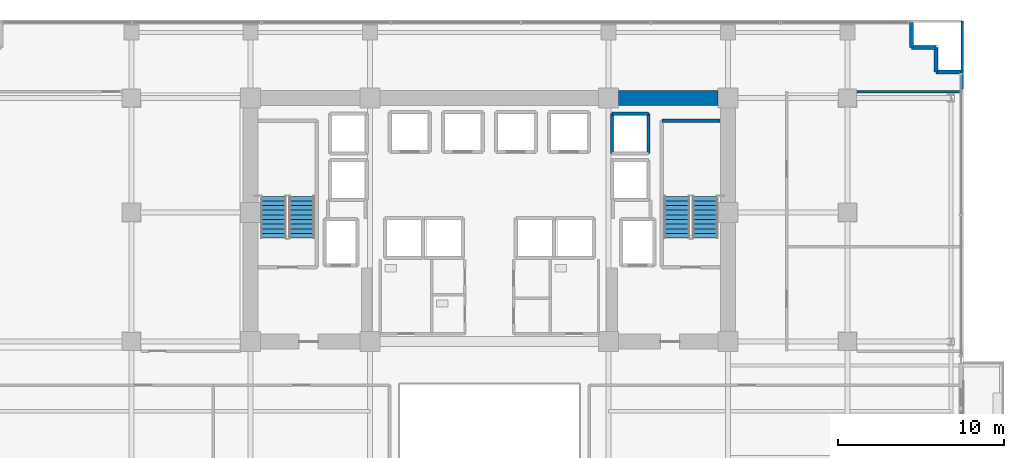
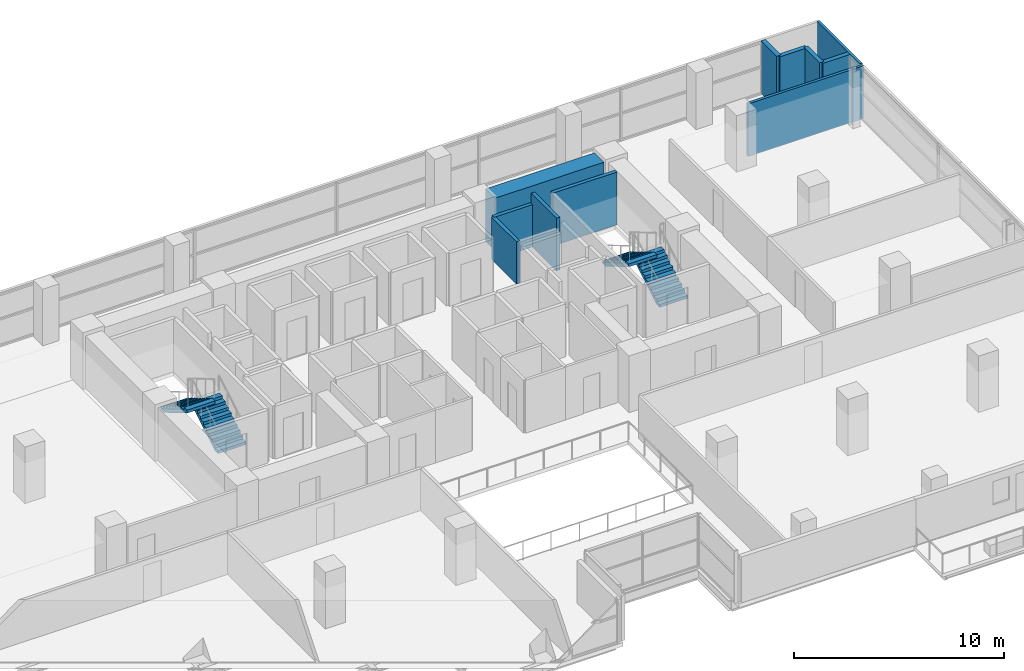
# One storey, part 25 of 30: 11 walls, 4 stair flights, 2 elements without a shape of their own.
"""IFC4 building model written with IfcOpenShell, lengths in metres."""

from ifc_helpers import new_model, si_unit, direction, frame, frame_2d, origin, place, context, subcontext, project, spatial, polyline, rectangle, outline, extrude, material, layer, layer_set, type_object, element, aggregate, save


model = new_model("IFC4")

# Units and contexts
model_context = context("Model", 3, precision=1e-05, world=origin(), true_north=direction((0.0, 1.0)))
body_context = subcontext(model_context, "Body", "Model", "MODEL_VIEW")
ifc_project = project(units=[si_unit("LENGTHUNIT", "METRE"), si_unit("AREAUNIT", "SQUARE_METRE"), si_unit("VOLUMEUNIT", "CUBIC_METRE"), si_unit("PLANEANGLEUNIT", "RADIAN"), si_unit("MASSUNIT", "GRAM", prefix="KILO")], contexts=[model_context])

# Site, building, storey
site_placement = place(None, origin())
site = spatial("IfcSite", under=ifc_project, at=site_placement, CompositionType="ELEMENT")
building_placement = place(site_placement, origin())
building = spatial("IfcBuilding", under=site, at=building_placement, Name="Zarnakvel Exchange Tower", CompositionType="ELEMENT")
storey_placement = place(building_placement, frame((0.0, 0.0, 30.699951171875)))
storey = spatial("IfcBuildingStorey", under=building, at=storey_placement, Name="L07", CompositionType="ELEMENT", Elevation=30.699951171875)

# Walls
ifc_material_1 = material(Name="Concrete C80/95", Category="concrete")
ifc_layer_1 = layer(ifc_material_1, 0.89990234375)
ifc_layer_set_1 = layer_set([ifc_layer_1], Name="Concrete C80/95")
wall_type_1 = type_object("IfcWallType", Name="CW-C1", PredefinedType="SHEAR", material=ifc_layer_set_1)
wall_1_placement = place(storey_placement, frame((7.800048828125, 13.5, 0.0), z_axis=(0.0, 0.0, 1.0), x_axis=(1.0, 0.0, 0.0)))
element("IfcWall", 1, at=wall_1_placement, inside=storey, type_object=wall_type_1, Name="L07 Rear Core Shear Wall N3 (CW-C1)", PredefinedType="SHEAR", context=body_context, shape_type="SweptSolid", body=[
    extrude(rectangle(XDim=6.0, YDim=0.89990234375, at=frame_2d((3.0, 0.0))), origin(), (0.0, 0.0, 1.0), 3.074951171875),
])
ifc_material_2 = material(Name="Precast concrete C40/50", Category="concrete")
ifc_layer_2 = layer(ifc_material_2, 0.239990234375)
ifc_layer_set_2 = layer_set([ifc_layer_2], Name="Precast concrete C40/50")
wall_type_2 = type_object("IfcWallType", Name="EW-02", PredefinedType="SOLIDWALL", material=ifc_layer_set_2)
for number, where, z_axis, x_axis, name in (
    (2, (25.4599609375, 16.56005859375, 0.0), (0.0, 0.0, 1.0), (0.0, 1.0, 0.0), "L07 Exterior Precast Spandrel Wall EWC-L07-05 (EW-02)"),
    (3, (26.9599609375, 16.56005859375, 0.0), (0.0, 0.0, 1.0), (-1.0, 0.0, 0.0), "L07 Exterior Precast Spandrel Wall EWC-L07-06 (EW-02)"),
    (4, (26.9599609375, 15.06005859375, 0.0), (0.0, 0.0, 1.0), (0.0, 1.0, 0.0), "L07 Exterior Precast Spandrel Wall EWC-L07-07 (EW-02)"),
    (5, (28.4599609375, 15.06005859375, 0.0), (0.0, 0.0, 1.0), (-1.0, 0.0, 0.0), "L07 Exterior Precast Spandrel Wall EWC-L07-08 (EW-02)"),
):
    element("IfcWall", number, at=place(storey_placement, frame(where, z_axis=z_axis, x_axis=x_axis)), inside=storey, type_object=wall_type_2, Name=name, PredefinedType="SOLIDWALL", context=body_context, shape_type="SweptSolid", body=[
        extrude(rectangle(XDim=1.5, YDim=0.239990234375, at=frame_2d((0.75, 0.0))), origin(), (0.0, 0.0, 1.0), 3.074951171875),
    ])
ifc_material_3 = material(Name="Fire-Rated Gypsum Stud Partition", Category="gypsum")
ifc_layer_3 = layer(ifc_material_3, 0.14990234375)
ifc_layer_set_3 = layer_set([ifc_layer_3], Name="Fire-Rated Gypsum Stud Partition")
wall_type_3 = type_object("IfcWallType", Name="PT-01", PredefinedType="PARTITIONING", material=ifc_layer_set_3)
wall_2_placement = place(storey_placement, frame((22.169921875, 13.8798828125, 0.0), z_axis=(0.0, 0.0, 1.0), x_axis=(1.0, 0.0, 0.0)))
element("IfcWall", 6, at=wall_2_placement, inside=storey, type_object=wall_type_3, Name="L07 Partition Wall PWALL-L07-044 (PT-01)", PredefinedType="PARTITIONING", context=body_context, shape_type="SweptSolid", body=[
    extrude(rectangle(XDim=6.360107421875, YDim=0.14990234375, at=frame_2d((3.18017578125, 0.0))), origin(), (0.0, 0.0, 1.0), 3.074951171875),
])
wall_3_placement = place(storey_placement, frame((28.530029296875, 18.1298828125, 0.0), z_axis=(0.0, 0.0, 1.0), x_axis=(0.0, -1.0, 0.0)))
element("IfcWall", 7, at=wall_3_placement, inside=storey, type_object=wall_type_3, Name="L07 Partition Wall PWALL-L07-049 (PT-01)", PredefinedType="PARTITIONING", context=body_context, shape_type="SweptSolid", body=[
    extrude(rectangle(XDim=4.099853515625, YDim=0.14990234375, at=frame_2d((2.0498046875, 0.0))), origin(), (0.0, 0.0, 1.0), 3.074951171875),
])
ifc_material_4 = material(Name="Concrete C40/50", Category="concrete")
ifc_layer_4 = layer(ifc_material_4, 0.199951171875)
ifc_layer_set_4 = layer_set([ifc_layer_4], Name="Concrete C40/50")
wall_type_4 = type_object("IfcWallType", Name="SW-01", PredefinedType="SOLIDWALL", material=ifc_layer_set_4)
wall_4_placement = place(storey_placement, frame((7.39990234375, 12.550048828125, 0.0), z_axis=(0.0, 0.0, 1.0), x_axis=(1.0, 0.0, 0.0)))
element("IfcWall", 8, at=wall_4_placement, inside=storey, type_object=wall_type_4, Name="L07 PL-12 Hoistway Wall North", PredefinedType="SOLIDWALL", context=body_context, shape_type="SweptSolid", body=[
    extrude(rectangle(XDim=2.2001953125, YDim=0.199951171875, at=frame_2d((1.10009765625, 0.0))), origin(), (0.0, 0.0, 1.0), 2.465087890625),
])
wall_5_placement = place(storey_placement, frame((7.39990234375, 10.14990234375, 0.0), z_axis=(0.0, 0.0, 1.0), x_axis=(0.0, 1.0, 0.0)))
element("IfcWall", 9, at=wall_5_placement, inside=storey, type_object=wall_type_4, Name="L07 PL-12 Hoistway Wall West", PredefinedType="SOLIDWALL", context=body_context, shape_type="SweptSolid", body=[
    extrude(rectangle(XDim=2.400146484375, YDim=0.199951171875, at=frame_2d((1.2001953125, 0.0))), origin(), (0.0, 0.0, 1.0), 2.465087890625),
])
wall_6_placement = place(storey_placement, frame((9.60009765625, 12.550048828125, 0.0), z_axis=(0.0, 0.0, 1.0), x_axis=(0.0, -1.0, 0.0)))
element("IfcWall", 10, at=wall_6_placement, inside=storey, type_object=wall_type_4, Name="L07 PL-12 Hoistway Wall East", PredefinedType="SOLIDWALL", context=body_context, shape_type="SweptSolid", body=[
    extrude(rectangle(XDim=2.400146484375, YDim=0.199951171875, at=frame_2d((1.2001953125, 0.0))), origin(), (0.0, 0.0, 1.0), 3.074951171875),
])
ifc_layer_5 = layer(ifc_material_4, 0.199951171875)
ifc_layer_set_5 = layer_set([ifc_layer_5], Name="Concrete C40/50")
wall_type_5 = type_object("IfcWallType", Name="SW-02", PredefinedType="SOLIDWALL", material=ifc_layer_set_5)
wall_7_placement = place(storey_placement, frame((10.409912109375, 12.1298828125, 0.0), z_axis=(0.0, 0.0, 1.0), x_axis=(1.0, 0.0, 0.0)))
element("IfcWall", 11, at=wall_7_placement, inside=storey, type_object=wall_type_5, Name="L07 Stairwell Core Wall PWALL-L07-005 (SW-02)", PredefinedType="SOLIDWALL", context=body_context, shape_type="SweptSolid", body=[
    extrude(rectangle(XDim=3.52001953125, YDim=0.199951171875, at=frame_2d((1.760009765625, 0.0))), origin(), (0.0, 0.0, 1.0), 3.074951171875),
])

# Stair, stair flights
stair_type = type_object("IfcStairType", Name="STR-01", PredefinedType="HALF_TURN_STAIR", material=ifc_material_4)
stair_1_placement = place(storey_placement, origin())
stair_1 = element("IfcStair", 12, at=stair_1_placement, inside=storey, type_object=stair_type, Name="L07 Protected Core Exit Stair ST-01", PredefinedType="HALF_TURN_STAIR")
stair_flight_type = type_object("IfcStairFlightType", Name="FLT-01", PredefinedType="STRAIGHT", material=ifc_material_4)
stair_flight_1_placement = place(storey_placement, frame((-11.31494140625, 5.050048828125, 0.0), z_axis=(0.0, 0.0, 1.0), x_axis=(0.0, 1.0, 0.0)))
stair_flight_1 = element("IfcStairFlight", 13, at=stair_flight_1_placement, type_object=stair_flight_type, Name="ST-01 flight 1", NumberOfRisers=10, NumberOfTreads=9, PredefinedType="STRAIGHT", RiserHeight=0.165, TreadLength=0.28, context=body_context, shape_type="SweptSolid", body=[
    extrude(outline(polyline([(0.0, 0.0), (0.0, 0.1650390625), (0.280029296875, 0.1650390625), (0.280029296875, 0.330078125), (0.56005859375, 0.330078125), (0.56005859375, 0.4951171875), (0.840087890625, 0.4951171875), (0.840087890625, 0.659912109375), (1.1201171875, 0.659912109375), (1.1201171875, 0.824951171875), (1.39990234375, 0.824951171875), (1.39990234375, 0.989990234375), (1.679931640625, 0.989990234375), (1.679931640625, 1.155029296875), (1.9599609375, 1.155029296875), (1.9599609375, 1.320068359375), (2.239990234375, 1.320068359375), (2.239990234375, 1.485107421875), (2.52001953125, 1.485107421875), (2.52001953125, 1.64990234375), (2.52001953125, 1.31103515625), (0.295166015625, 0.0), (0.0, 0.0)])), frame((0.0, 0.77490234375, 0.0), z_axis=(0.0, -1.0, 0.0), x_axis=(1.0, 0.0, 0.0)), (0.0, 0.0, 1.0), 1.550048828125),
])
stair_flight_2_placement = place(storey_placement, frame((-13.02490234375, 7.570068359375, 1.650146484375), z_axis=(0.0, 0.0, 1.0), x_axis=(0.0, -1.0, 0.0)))
stair_flight_2 = element("IfcStairFlight", 14, at=stair_flight_2_placement, type_object=stair_flight_type, Name="ST-01 flight 2", NumberOfRisers=10, NumberOfTreads=9, PredefinedType="STRAIGHT", RiserHeight=0.165, TreadLength=0.28, context=body_context, shape_type="SweptSolid", body=[
    extrude(outline(polyline([(0.0, 0.0), (0.0, 0.1650390625), (0.280029296875, 0.1650390625), (0.280029296875, 0.330078125), (0.56005859375, 0.330078125), (0.56005859375, 0.4951171875), (0.840087890625, 0.4951171875), (0.840087890625, 0.659912109375), (1.1201171875, 0.659912109375), (1.1201171875, 0.824951171875), (1.39990234375, 0.824951171875), (1.39990234375, 0.989990234375), (1.679931640625, 0.989990234375), (1.679931640625, 1.155029296875), (1.9599609375, 1.155029296875), (1.9599609375, 1.320068359375), (2.239990234375, 1.320068359375), (2.239990234375, 1.485107421875), (2.52001953125, 1.485107421875), (2.52001953125, 1.64990234375), (2.52001953125, 1.31103515625), (0.295166015625, 0.0), (0.0, 0.0)])), frame((0.0, 0.77490234375, 0.0), z_axis=(0.0, -1.0, 0.0), x_axis=(1.0, 0.0, 0.0)), (0.0, 0.0, 1.0), 1.550048828125),
])
aggregate(stair_1, [stair_flight_1, stair_flight_2])

stair_2_placement = place(storey_placement, origin())
stair_2 = element("IfcStair", 15, at=stair_2_placement, inside=storey, type_object=stair_type, Name="L07 Protected Core Exit Stair ST-02", PredefinedType="HALF_TURN_STAIR")
stair_flight_3_placement = place(storey_placement, frame((13.02490234375, 5.050048828125, 0.0), z_axis=(0.0, 0.0, 1.0), x_axis=(0.0, 1.0, 0.0)))
stair_flight_3 = element("IfcStairFlight", 16, at=stair_flight_3_placement, type_object=stair_flight_type, Name="ST-02 flight 1", NumberOfRisers=10, NumberOfTreads=9, PredefinedType="STRAIGHT", RiserHeight=0.165, TreadLength=0.28, context=body_context, shape_type="SweptSolid", body=[
    extrude(outline(polyline([(0.0, 0.0), (0.0, 0.1650390625), (0.280029296875, 0.1650390625), (0.280029296875, 0.330078125), (0.56005859375, 0.330078125), (0.56005859375, 0.4951171875), (0.840087890625, 0.4951171875), (0.840087890625, 0.659912109375), (1.1201171875, 0.659912109375), (1.1201171875, 0.824951171875), (1.39990234375, 0.824951171875), (1.39990234375, 0.989990234375), (1.679931640625, 0.989990234375), (1.679931640625, 1.155029296875), (1.9599609375, 1.155029296875), (1.9599609375, 1.320068359375), (2.239990234375, 1.320068359375), (2.239990234375, 1.485107421875), (2.52001953125, 1.485107421875), (2.52001953125, 1.64990234375), (2.52001953125, 1.31103515625), (0.295166015625, 0.0), (0.0, 0.0)])), frame((0.0, 0.77490234375, 0.0), z_axis=(0.0, -1.0, 0.0), x_axis=(1.0, 0.0, 0.0)), (0.0, 0.0, 1.0), 1.550048828125),
])
stair_flight_4_placement = place(storey_placement, frame((11.31494140625, 7.570068359375, 1.650146484375), z_axis=(0.0, 0.0, 1.0), x_axis=(0.0, -1.0, 0.0)))
stair_flight_4 = element("IfcStairFlight", 17, at=stair_flight_4_placement, type_object=stair_flight_type, Name="ST-02 flight 2", NumberOfRisers=10, NumberOfTreads=9, PredefinedType="STRAIGHT", RiserHeight=0.165, TreadLength=0.28, context=body_context, shape_type="SweptSolid", body=[
    extrude(outline(polyline([(0.0, 0.0), (0.0, 0.1650390625), (0.280029296875, 0.1650390625), (0.280029296875, 0.330078125), (0.56005859375, 0.330078125), (0.56005859375, 0.4951171875), (0.840087890625, 0.4951171875), (0.840087890625, 0.659912109375), (1.1201171875, 0.659912109375), (1.1201171875, 0.824951171875), (1.39990234375, 0.824951171875), (1.39990234375, 0.989990234375), (1.679931640625, 0.989990234375), (1.679931640625, 1.155029296875), (1.9599609375, 1.155029296875), (1.9599609375, 1.320068359375), (2.239990234375, 1.320068359375), (2.239990234375, 1.485107421875), (2.52001953125, 1.485107421875), (2.52001953125, 1.64990234375), (2.52001953125, 1.31103515625), (0.295166015625, 0.0), (0.0, 0.0)])), frame((0.0, 0.77490234375, 0.0), z_axis=(0.0, -1.0, 0.0), x_axis=(1.0, 0.0, 0.0)), (0.0, 0.0, 1.0), 1.550048828125),
])
aggregate(stair_2, [stair_flight_3, stair_flight_4])

save(model, "model.ifc")
